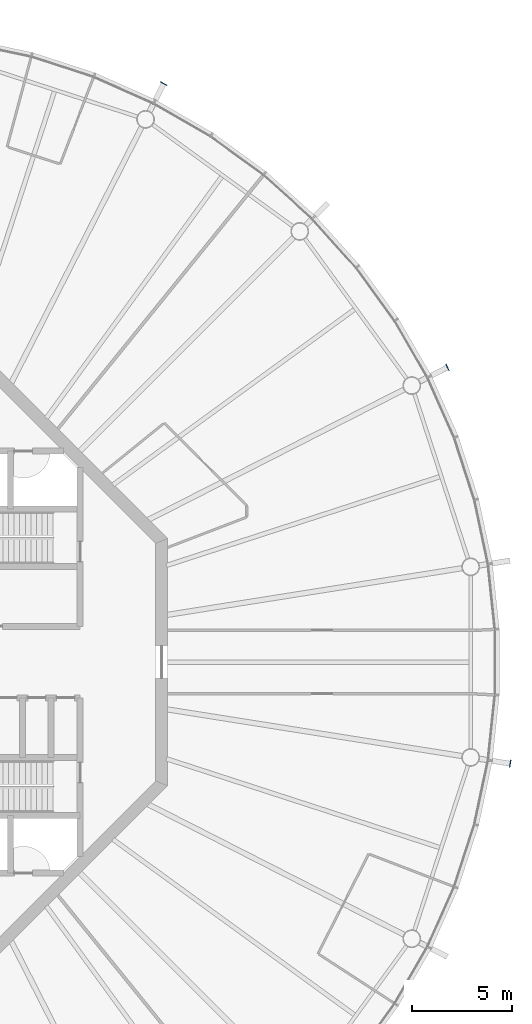
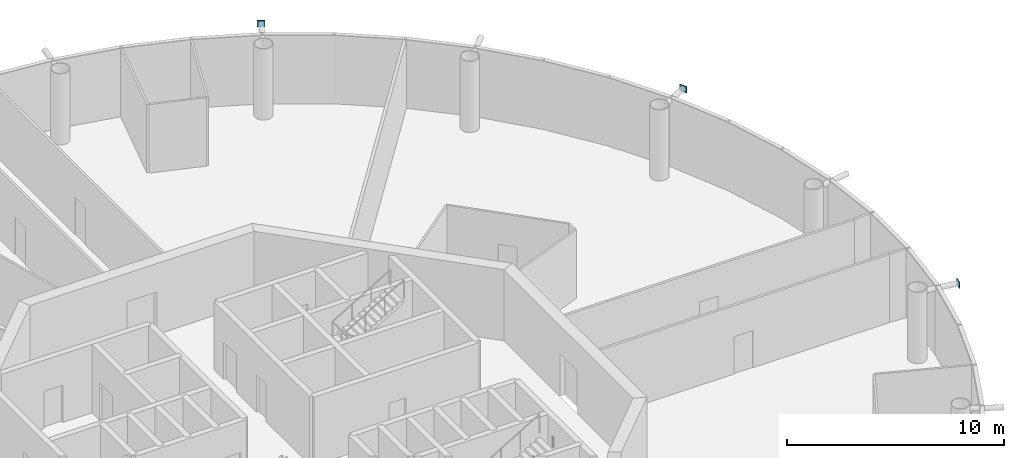
# One storey, part 10 of 18: 3 discrete accessories.
"""IFC4 building model written with IfcOpenShell, lengths in metres."""

from ifc_helpers import new_model, si_unit, direction, frame, origin, origin_2d, place, context, subcontext, project, spatial, rectangle, extrude, material, element, save


model = new_model("IFC4")

# Units and contexts
model_context = context("Model", 3, precision=1e-05, world=origin(), true_north=direction((0.0, 1.0)))
body_context = subcontext(model_context, "Body", "Model", "MODEL_VIEW")
ifc_project = project(units=[si_unit("LENGTHUNIT", "METRE"), si_unit("AREAUNIT", "SQUARE_METRE"), si_unit("VOLUMEUNIT", "CUBIC_METRE"), si_unit("PLANEANGLEUNIT", "RADIAN"), si_unit("MASSUNIT", "GRAM", prefix="KILO")], contexts=[model_context])

# Site, building, storey
site_placement = place(None, origin())
site = spatial("IfcSite", under=ifc_project, at=site_placement, CompositionType="ELEMENT")
building_placement = place(site_placement, origin())
building = spatial("IfcBuilding", under=site, at=building_placement, Name="Entoto Ring Tower", CompositionType="ELEMENT")
storey_placement = place(building_placement, frame((0.0, 0.0, 388.0)))
storey = spatial("IfcBuildingStorey", under=building, at=storey_placement, Name="L90", CompositionType="ELEMENT", Elevation=388.0)

# Discrete accessories
ifc_material = material(Name="Steel S355", Category="steel")
for number, where, z_axis, x_axis, name in (
    (1, (119.06005859375, 94.806884765625, 3.52685546875), (0.0, 0.0, 1.0), (0.891006524188, 0.45399049974, 0.0), "Node strut end plate DS2 ring 28 02"),
    (2, (104.806884765625, 109.06005859375, 3.52685546875), (0.0, 0.0, 1.0), (0.45399049974, 0.891006524188, 0.0), "Node strut end plate DS2 ring 28 04"),
    (3, (122.21337890625, 74.89794921875, 3.52685546875), (0.0, 0.0, 1.0), (0.987688340595, -0.15643446504, 0.0), "Node strut end plate DS2 ring 28 20"),
):
    element("IfcDiscreteAccessory", number, at=place(storey_placement, frame(where, z_axis=z_axis, x_axis=x_axis)), inside=storey, material=ifc_material, Name=name, PredefinedType="BRACKET", context=body_context, shape_type="SweptSolid", body=[
        extrude(rectangle(XDim=0.030029296875, YDim=0.373046875, at=origin_2d()), origin(), (0.0, 0.0, 1.0), 0.373046875),
    ])

save(model, "model.ifc")
